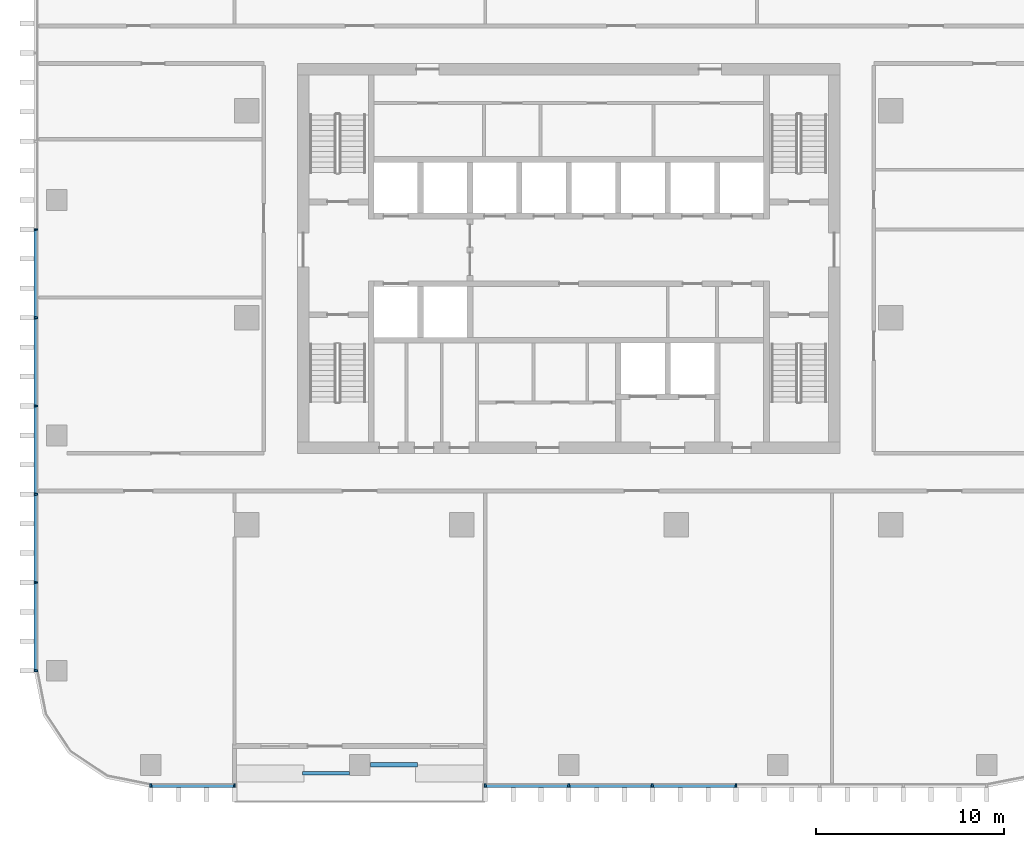
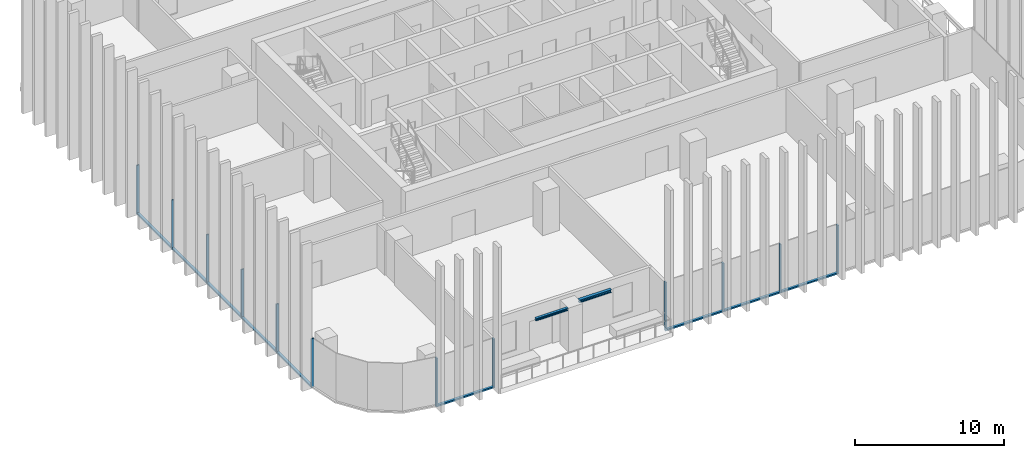
# One storey, part 2 of 15: 21 members, 2 beams, 3 elements without a shape of their own.
"""IFC4 building model written with IfcOpenShell, lengths in metres."""

from ifc_helpers import new_model, si_unit, direction, frame, origin, origin_2d, place, context, subcontext, project, spatial, rectangle, i_section, extrude, material, material_profile, profile_set, type_object, element, aggregate, save


model = new_model("IFC4")

# Units and contexts
model_context = context("Model", 3, precision=1e-05, world=origin(), true_north=direction((0.0, 1.0)))
body_context = subcontext(model_context, "Body", "Model", "MODEL_VIEW")
ifc_project = project(units=[si_unit("LENGTHUNIT", "METRE"), si_unit("AREAUNIT", "SQUARE_METRE"), si_unit("VOLUMEUNIT", "CUBIC_METRE"), si_unit("PLANEANGLEUNIT", "RADIAN"), si_unit("MASSUNIT", "GRAM", prefix="KILO")], contexts=[model_context])

# Site, building, storey
site_placement = place(None, origin())
site = spatial("IfcSite", under=ifc_project, at=site_placement, CompositionType="ELEMENT")
building_placement = place(site_placement, origin())
building = spatial("IfcBuilding", under=site, at=building_placement, Name="Mopane Tessera Tower", CompositionType="ELEMENT")
storey_placement = place(building_placement, frame((0.0, 0.0, 223.0)))
storey = spatial("IfcBuildingStorey", under=building, at=storey_placement, Name="L47", CompositionType="ELEMENT", Elevation=223.0)

# Curtain wall, members
ifc_material_1 = material(Name="Aluminium frame", Category="aluminium")
curtain_wall_type = type_object("IfcCurtainWallType", Name="Unitised curtain wall", PredefinedType="NOTDEFINED", material=ifc_material_1)
curtain_wall_1_placement = place(storey_placement, origin())
curtain_wall_1 = element("IfcCurtainWall", 1, at=curtain_wall_1_placement, inside=storey, type_object=curtain_wall_type, Name="e:cw:L47:S:0", PredefinedType="NOTDEFINED")
ifc_material_2 = material(Name="Aluminium frame", Category="aluminium")
ifc_material_profile_1 = material_profile(ifc_material_2, rectangle(XDim=0.10009765625, YDim=0.199951171875, at=origin_2d()))
ifc_profile_set_1 = profile_set([ifc_material_profile_1], Name="Aluminium frame")
member_type_1 = type_object("IfcMemberType", Name="Aluminium mullion 100 x 200", PredefinedType="MULLION", material=ifc_profile_set_1)
member_1_placement = place(storey_placement, frame((-22.199951171875, -24.85009765625, -0.39990234375), z_axis=(0.0, 0.0, 1.0), x_axis=(1.0, 0.0, 0.0)))
member_1 = element("IfcMember", 2, at=member_1_placement, type_object=member_type_1, Name="e:cw:L47:S:0:mu0", PredefinedType="MULLION", context=body_context, shape_type="SweptSolid", body=[
    extrude(rectangle(XDim=0.10009765625, YDim=0.199951171875, at=origin_2d()), origin(), (0.0, 0.0, 1.0), 4.0),
])
member_2_placement = place(storey_placement, frame((-17.760009765625, -24.85009765625, -0.39990234375), z_axis=(0.0, 0.0, 1.0), x_axis=(1.0, 0.0, 0.0)))
member_2 = element("IfcMember", 3, at=member_2_placement, type_object=member_type_1, Name="e:cw:L47:S:0:mu1", PredefinedType="MULLION", context=body_context, shape_type="SweptSolid", body=[
    extrude(rectangle(XDim=0.10009765625, YDim=0.199951171875, at=origin_2d()), origin(), (0.0, 0.0, 1.0), 4.0),
])

curtain_wall_2_placement = place(storey_placement, origin())
curtain_wall_2 = element("IfcCurtainWall", 4, at=curtain_wall_2_placement, inside=storey, type_object=curtain_wall_type, Name="e:cw:L47:S:4", PredefinedType="NOTDEFINED")
member_3_placement = place(storey_placement, frame((-4.43994140625, -24.85009765625, -0.39990234375), z_axis=(0.0, 0.0, 1.0), x_axis=(1.0, 0.0, 0.0)))
member_3 = element("IfcMember", 5, at=member_3_placement, type_object=member_type_1, Name="e:cw:L47:S:4:mu4", PredefinedType="MULLION", context=body_context, shape_type="SweptSolid", body=[
    extrude(rectangle(XDim=0.10009765625, YDim=0.199951171875, at=origin_2d()), origin(), (0.0, 0.0, 1.0), 4.0),
])
member_4_placement = place(storey_placement, frame((0.0, -24.85009765625, -0.39990234375), z_axis=(0.0, 0.0, 1.0), x_axis=(1.0, 0.0, 0.0)))
member_4 = element("IfcMember", 6, at=member_4_placement, type_object=member_type_1, Name="e:cw:L47:S:4:mu5", PredefinedType="MULLION", context=body_context, shape_type="SweptSolid", body=[
    extrude(rectangle(XDim=0.10009765625, YDim=0.199951171875, at=origin_2d()), origin(), (0.0, 0.0, 1.0), 4.0),
])
member_5_placement = place(storey_placement, frame((4.43994140625, -24.85009765625, -0.39990234375), z_axis=(0.0, 0.0, 1.0), x_axis=(1.0, 0.0, 0.0)))
member_5 = element("IfcMember", 7, at=member_5_placement, type_object=member_type_1, Name="e:cw:L47:S:4:mu6", PredefinedType="MULLION", context=body_context, shape_type="SweptSolid", body=[
    extrude(rectangle(XDim=0.10009765625, YDim=0.199951171875, at=origin_2d()), origin(), (0.0, 0.0, 1.0), 4.0),
])
member_6_placement = place(storey_placement, frame((8.8798828125, -24.85009765625, -0.39990234375), z_axis=(0.0, 0.0, 1.0), x_axis=(1.0, 0.0, 0.0)))
member_6 = element("IfcMember", 8, at=member_6_placement, type_object=member_type_1, Name="e:cw:L47:S:4:mu7", PredefinedType="MULLION", context=body_context, shape_type="SweptSolid", body=[
    extrude(rectangle(XDim=0.10009765625, YDim=0.199951171875, at=origin_2d()), origin(), (0.0, 0.0, 1.0), 4.0),
])

curtain_wall_3_placement = place(storey_placement, origin())
curtain_wall_3 = element("IfcCurtainWall", 9, at=curtain_wall_3_placement, inside=storey, type_object=curtain_wall_type, Name="e:cw:L47:W:0", PredefinedType="NOTDEFINED")
member_7_placement = place(storey_placement, frame((-28.300048828125, 4.6875, -0.39990234375), z_axis=(0.0, 0.0, 1.0), x_axis=(0.0, -1.0, 0.0)))
member_7 = element("IfcMember", 10, at=member_7_placement, type_object=member_type_1, Name="e:cw:L47:W:0:mu3", PredefinedType="MULLION", context=body_context, shape_type="SweptSolid", body=[
    extrude(rectangle(XDim=0.10009765625, YDim=0.199951171875, at=origin_2d()), origin(), (0.0, 0.0, 1.0), 4.0),
])
member_8_placement = place(storey_placement, frame((-28.300048828125, 0.0, -0.39990234375), z_axis=(0.0, 0.0, 1.0), x_axis=(0.0, -1.0, 0.0)))
member_8 = element("IfcMember", 11, at=member_8_placement, type_object=member_type_1, Name="e:cw:L47:W:0:mu4", PredefinedType="MULLION", context=body_context, shape_type="SweptSolid", body=[
    extrude(rectangle(XDim=0.10009765625, YDim=0.199951171875, at=origin_2d()), origin(), (0.0, 0.0, 1.0), 4.0),
])
member_9_placement = place(storey_placement, frame((-28.300048828125, -4.6875, -0.39990234375), z_axis=(0.0, 0.0, 1.0), x_axis=(0.0, -1.0, 0.0)))
member_9 = element("IfcMember", 12, at=member_9_placement, type_object=member_type_1, Name="e:cw:L47:W:0:mu5", PredefinedType="MULLION", context=body_context, shape_type="SweptSolid", body=[
    extrude(rectangle(XDim=0.10009765625, YDim=0.199951171875, at=origin_2d()), origin(), (0.0, 0.0, 1.0), 4.0),
])
member_10_placement = place(storey_placement, frame((-28.300048828125, -9.375, -0.39990234375), z_axis=(0.0, 0.0, 1.0), x_axis=(0.0, -1.0, 0.0)))
member_10 = element("IfcMember", 13, at=member_10_placement, type_object=member_type_1, Name="e:cw:L47:W:0:mu6", PredefinedType="MULLION", context=body_context, shape_type="SweptSolid", body=[
    extrude(rectangle(XDim=0.10009765625, YDim=0.199951171875, at=origin_2d()), origin(), (0.0, 0.0, 1.0), 4.0),
])
member_11_placement = place(storey_placement, frame((-28.300048828125, -14.0625, -0.39990234375), z_axis=(0.0, 0.0, 1.0), x_axis=(0.0, -1.0, 0.0)))
member_11 = element("IfcMember", 14, at=member_11_placement, type_object=member_type_1, Name="e:cw:L47:W:0:mu7", PredefinedType="MULLION", context=body_context, shape_type="SweptSolid", body=[
    extrude(rectangle(XDim=0.10009765625, YDim=0.199951171875, at=origin_2d()), origin(), (0.0, 0.0, 1.0), 4.0),
])
member_12_placement = place(storey_placement, frame((-28.300048828125, -18.75, -0.39990234375), z_axis=(0.0, 0.0, 1.0), x_axis=(0.0, -1.0, 0.0)))
member_12 = element("IfcMember", 15, at=member_12_placement, type_object=member_type_1, Name="e:cw:L47:W:0:mu8", PredefinedType="MULLION", context=body_context, shape_type="SweptSolid", body=[
    extrude(rectangle(XDim=0.10009765625, YDim=0.199951171875, at=origin_2d()), origin(), (0.0, 0.0, 1.0), 4.0),
])

# Member
ifc_material_3 = material(Name="Aluminium frame", Category="aluminium")
ifc_material_profile_2 = material_profile(ifc_material_3, rectangle(XDim=0.199951171875, YDim=0.1201171875, at=origin_2d()))
ifc_profile_set_2 = profile_set([ifc_material_profile_2], Name="Aluminium frame")
member_type_2 = type_object("IfcMemberType", Name="Aluminium transom 200 x 120", PredefinedType="USERDEFINED", material=ifc_profile_set_2)
member_13_placement = place(storey_placement, frame((-22.14990234375, -24.85009765625, -0.340087890625), z_axis=(1.0, 0.0, 0.0), x_axis=(0.0, 1.0, 0.0)))
member_13 = element("IfcMember", 16, at=member_13_placement, type_object=member_type_2, Name="e:cw:L47:S:0:tr0", ObjectType="TRANSOM", PredefinedType="USERDEFINED", context=body_context, shape_type="SweptSolid", body=[
    extrude(rectangle(XDim=0.199951171875, YDim=0.1201171875, at=origin_2d()), origin(), (0.0, 0.0, 1.0), 4.33984375),
])

aggregate(curtain_wall_1, [member_1, member_2, member_13])

member_14_placement = place(storey_placement, frame((-4.389892578125, -24.85009765625, -0.340087890625), z_axis=(1.0, 0.0, 0.0), x_axis=(0.0, 1.0, 0.0)))
member_14 = element("IfcMember", 17, at=member_14_placement, type_object=member_type_2, Name="e:cw:L47:S:4:tr4", ObjectType="TRANSOM", PredefinedType="USERDEFINED", context=body_context, shape_type="SweptSolid", body=[
    extrude(rectangle(XDim=0.199951171875, YDim=0.1201171875, at=origin_2d()), origin(), (0.0, 0.0, 1.0), 4.33984375),
])

member_15_placement = place(storey_placement, frame((0.050048828125, -24.85009765625, -0.340087890625), z_axis=(1.0, 0.0, 0.0), x_axis=(0.0, 1.0, 0.0)))
member_15 = element("IfcMember", 18, at=member_15_placement, type_object=member_type_2, Name="e:cw:L47:S:4:tr5", ObjectType="TRANSOM", PredefinedType="USERDEFINED", context=body_context, shape_type="SweptSolid", body=[
    extrude(rectangle(XDim=0.199951171875, YDim=0.1201171875, at=origin_2d()), origin(), (0.0, 0.0, 1.0), 4.33984375),
])

member_16_placement = place(storey_placement, frame((4.489990234375, -24.85009765625, -0.340087890625), z_axis=(1.0, 0.0, 0.0), x_axis=(0.0, 1.0, 0.0)))
member_16 = element("IfcMember", 19, at=member_16_placement, type_object=member_type_2, Name="e:cw:L47:S:4:tr6", ObjectType="TRANSOM", PredefinedType="USERDEFINED", context=body_context, shape_type="SweptSolid", body=[
    extrude(rectangle(XDim=0.199951171875, YDim=0.1201171875, at=origin_2d()), origin(), (0.0, 0.0, 1.0), 4.340087890625),
])

aggregate(curtain_wall_2, [member_3, member_4, member_5, member_6, member_14, member_15, member_16])

member_17_placement = place(storey_placement, frame((-28.300048828125, 4.637451171875, -0.340087890625), z_axis=(0.0, -1.0, 0.0), x_axis=(1.0, 0.0, 0.0)))
member_17 = element("IfcMember", 20, at=member_17_placement, type_object=member_type_2, Name="e:cw:L47:W:0:tr3", ObjectType="TRANSOM", PredefinedType="USERDEFINED", context=body_context, shape_type="SweptSolid", body=[
    extrude(rectangle(XDim=0.199951171875, YDim=0.1201171875, at=origin_2d()), origin(), (0.0, 0.0, 1.0), 4.58740234375),
])

member_18_placement = place(storey_placement, frame((-28.300048828125, -0.050048828125, -0.340087890625), z_axis=(0.0, -1.0, 0.0), x_axis=(1.0, 0.0, 0.0)))
member_18 = element("IfcMember", 21, at=member_18_placement, type_object=member_type_2, Name="e:cw:L47:W:0:tr4", ObjectType="TRANSOM", PredefinedType="USERDEFINED", context=body_context, shape_type="SweptSolid", body=[
    extrude(rectangle(XDim=0.199951171875, YDim=0.1201171875, at=origin_2d()), origin(), (0.0, 0.0, 1.0), 4.58740234375),
])

member_19_placement = place(storey_placement, frame((-28.300048828125, -4.737548828125, -0.340087890625), z_axis=(0.0, -1.0, 0.0), x_axis=(1.0, 0.0, 0.0)))
member_19 = element("IfcMember", 22, at=member_19_placement, type_object=member_type_2, Name="e:cw:L47:W:0:tr5", ObjectType="TRANSOM", PredefinedType="USERDEFINED", context=body_context, shape_type="SweptSolid", body=[
    extrude(rectangle(XDim=0.199951171875, YDim=0.1201171875, at=origin_2d()), origin(), (0.0, 0.0, 1.0), 4.58740234375),
])

member_20_placement = place(storey_placement, frame((-28.300048828125, -9.425048828125, -0.340087890625), z_axis=(0.0, -1.0, 0.0), x_axis=(1.0, 0.0, 0.0)))
member_20 = element("IfcMember", 23, at=member_20_placement, type_object=member_type_2, Name="e:cw:L47:W:0:tr6", ObjectType="TRANSOM", PredefinedType="USERDEFINED", context=body_context, shape_type="SweptSolid", body=[
    extrude(rectangle(XDim=0.199951171875, YDim=0.1201171875, at=origin_2d()), origin(), (0.0, 0.0, 1.0), 4.58740234375),
])

member_21_placement = place(storey_placement, frame((-28.300048828125, -14.112548828125, -0.340087890625), z_axis=(0.0, -1.0, 0.0), x_axis=(1.0, 0.0, 0.0)))
member_21 = element("IfcMember", 24, at=member_21_placement, type_object=member_type_2, Name="e:cw:L47:W:0:tr7", ObjectType="TRANSOM", PredefinedType="USERDEFINED", context=body_context, shape_type="SweptSolid", body=[
    extrude(rectangle(XDim=0.199951171875, YDim=0.1201171875, at=origin_2d()), origin(), (0.0, 0.0, 1.0), 4.58740234375),
])

aggregate(curtain_wall_3, [member_7, member_8, member_9, member_10, member_11, member_12, member_17, member_18, member_19, member_20, member_21])

# Beams
ifc_material_4 = material(Name="Structural steel S460", Category="steel")
ifc_material_profile_3 = material_profile(ifc_material_4, i_section(OverallWidth=0.239990234375, OverallDepth=0.239990234375, WebThickness=0.010009765625, FlangeThickness=0.01708984375, FilletRadius=0.02099609375, at=origin_2d()))
ifc_profile_set_3 = profile_set([ifc_material_profile_3], Name="Structural steel S460")
beam_type_1 = type_object("IfcBeamType", Name="Terrace spandrel beam HE 240 B", PredefinedType="SPANDREL", material=ifc_profile_set_3)
beam_1_placement = place(storey_placement, frame((-10.547119140625, -23.75, 3.47998046875), z_axis=(1.0, 0.0, 0.0), x_axis=(0.0, 1.0, 0.0)))
element("IfcBeam", 25, at=beam_1_placement, inside=storey, type_object=beam_type_1, Name="Terrace spandrel beam N1 L48", PredefinedType="SPANDREL", context=body_context, shape_type="SweptSolid", body=[
    extrude(i_section(OverallWidth=0.239990234375, OverallDepth=0.239990234375, WebThickness=0.010009765625, FlangeThickness=0.01708984375, FilletRadius=0.02099609375, at=origin_2d()), origin(), (0.0, 0.0, 1.0), 2.5),
])
ifc_material_5 = material(Name="Structural steel S460", Category="steel")
ifc_material_profile_4 = material_profile(ifc_material_5, i_section(OverallWidth=0.199951171875, OverallDepth=0.199951171875, WebThickness=0.009033203125, FlangeThickness=0.014892578125, FilletRadius=0.01806640625, at=origin_2d()))
ifc_profile_set_4 = profile_set([ifc_material_profile_4], Name="Structural steel S460")
beam_type_2 = type_object("IfcBeamType", Name="Terrace trimmer beam HE 200 B", PredefinedType="BEAM", material=ifc_profile_set_4)
beam_2_placement = place(storey_placement, frame((-11.653076171875, -24.18994140625, 3.5), z_axis=(-1.0, 0.0, 0.0), x_axis=(0.0, -1.0, 0.0)))
element("IfcBeam", 26, at=beam_2_placement, inside=storey, type_object=beam_type_2, Name="Terrace trimmer beam N1 L48", PredefinedType="BEAM", context=body_context, shape_type="SweptSolid", body=[
    extrude(i_section(OverallWidth=0.199951171875, OverallDepth=0.199951171875, WebThickness=0.009033203125, FlangeThickness=0.014892578125, FilletRadius=0.01806640625, at=origin_2d()), origin(), (0.0, 0.0, 1.0), 2.5),
])

save(model, "model.ifc")
